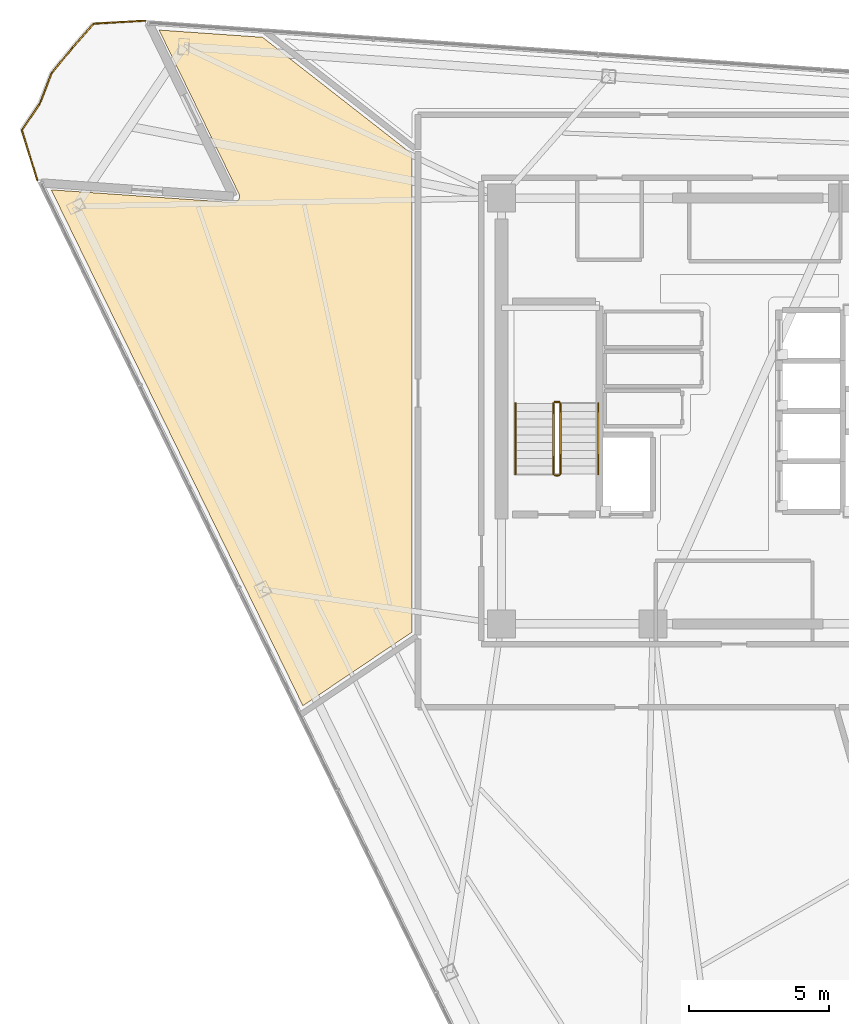
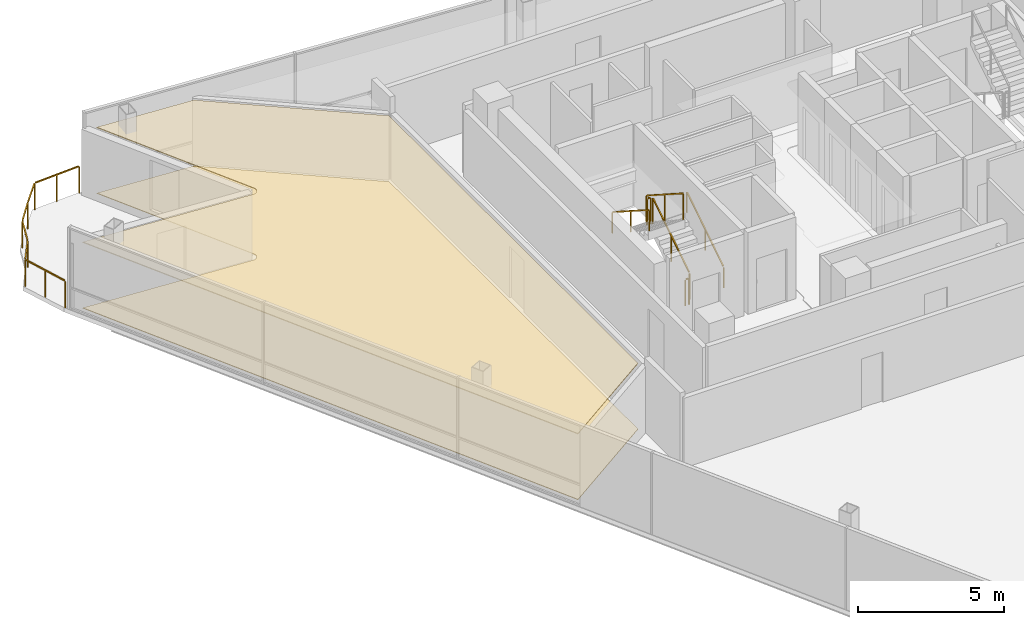
# One storey, part 12 of 14: 7 railings, 2 coverings.
"""IFC4 building model written with IfcOpenShell, lengths in metres."""

from ifc_helpers import new_model, si_unit, direction, frame, origin, origin_2d, place, context, subcontext, project, spatial, polyline, rectangle, outline, extrude, material, layer, layer_set, type_object, element, save


model = new_model("IFC4")

# Units and contexts
model_context = context("Model", 3, precision=1e-05, world=origin(), true_north=direction((0.0, 1.0)))
body_context = subcontext(model_context, "Body", "Model", "MODEL_VIEW")
ifc_project = project(units=[si_unit("LENGTHUNIT", "METRE"), si_unit("AREAUNIT", "SQUARE_METRE"), si_unit("VOLUMEUNIT", "CUBIC_METRE"), si_unit("PLANEANGLEUNIT", "RADIAN"), si_unit("MASSUNIT", "GRAM", prefix="KILO")], contexts=[model_context])

# Site, building, storey
site_placement = place(None, origin())
site = spatial("IfcSite", under=ifc_project, at=site_placement, CompositionType="ELEMENT")
building_placement = place(site_placement, origin())
building = spatial("IfcBuilding", under=site, at=building_placement, Name="Tharavind Bronze Gate", CompositionType="ELEMENT")
storey_placement = place(building_placement, frame((0.0, 0.0, 230.64990234375)))
storey = spatial("IfcBuildingStorey", under=building, at=storey_placement, Name="L59", CompositionType="ELEMENT", Elevation=230.64990234375)

# Coverings
ifc_material_1 = material(Name="Engineered Oak & Carpet Tile", Category="wood")
ifc_layer_1 = layer(ifc_material_1, 0.02490234375)
ifc_layer_set_1 = layer_set([ifc_layer_1], Name="Engineered Oak & Carpet Tile")
covering_type_1 = type_object("IfcCoveringType", Name="ENGINEERED TIMBER FLOORING", PredefinedType="FLOORING", material=ifc_layer_set_1)
covering_1_placement = place(storey_placement, origin())
element("IfcCovering", 1, at=covering_1_placement, inside=storey, type_object=covering_type_1, Name="L59-RM-02 floor finish", PredefinedType="FLOORING", context=body_context, shape_type="SweptSolid", body=[
    extrude(outline(polyline([(-15.99072265625, -10.5205078125), (-12.10009765625, -7.896240234375), (-12.10009765625, 9.17431640625), (-17.431884765625, 13.340087890625), (-21.125, 13.598388671875), (-18.2763671875, 7.7578125), (-18.27197265625, 7.747802734375), (-18.271728515625, 7.747314453125), (-18.263916015625, 7.726806640625), (-18.258544921875, 7.70556640625), (-18.255126953125, 7.683837890625), (-18.25390625, 7.661865234375), (-18.2548828125, 7.639892578125), (-18.258056640625, 7.618408203125), (-18.263427734375, 7.596923828125), (-18.270751953125, 7.576416015625), (-18.2802734375, 7.556640625), (-18.29150390625, 7.537841796875), (-18.3046875, 7.520263671875), (-18.319580078125, 7.504150390625), (-18.3359375, 7.489501953125), (-18.353759765625, 7.4765625), (-18.37255859375, 7.465576171875), (-18.392578125, 7.456298828125), (-18.413330078125, 7.449462890625), (-18.434814453125, 7.4443359375), (-18.456298828125, 7.44140625), (-18.478271484375, 7.44091796875), (-18.47900390625, 7.44091796875), (-18.489990234375, 7.44140625), (-24.972412109375, 7.894775390625), (-15.99072265625, -10.5205078125)])), origin(), (0.0, 0.0, 1.0), 0.025146484375),
])
ifc_material_2 = material(Name="Acoustic Gypsum Board", Category="gypsum")
ifc_layer_2 = layer(ifc_material_2, 0.030029296875)
ifc_layer_set_2 = layer_set([ifc_layer_2], Name="Acoustic Gypsum Board")
covering_type_2 = type_object("IfcCoveringType", Name="GYPSUM SUSPENDED CEILING", PredefinedType="CEILING", material=ifc_layer_set_2)
covering_2_placement = place(storey_placement, frame((0.0, 0.0, 2.75)))
element("IfcCovering", 2, at=covering_2_placement, inside=storey, type_object=covering_type_2, Name="L59-RM-02 suspended ceiling", PredefinedType="CEILING", context=body_context, shape_type="SweptSolid", body=[
    extrude(outline(polyline([(-15.99072265625, -10.5205078125), (-12.10009765625, -7.896240234375), (-12.10009765625, 9.17431640625), (-17.431884765625, 13.340087890625), (-21.125, 13.598388671875), (-18.2763671875, 7.7578125), (-18.27197265625, 7.747802734375), (-18.271728515625, 7.747314453125), (-18.263916015625, 7.726806640625), (-18.258544921875, 7.70556640625), (-18.255126953125, 7.683837890625), (-18.25390625, 7.661865234375), (-18.2548828125, 7.639892578125), (-18.258056640625, 7.618408203125), (-18.263427734375, 7.596923828125), (-18.270751953125, 7.576416015625), (-18.2802734375, 7.556640625), (-18.29150390625, 7.537841796875), (-18.3046875, 7.520263671875), (-18.319580078125, 7.504150390625), (-18.3359375, 7.489501953125), (-18.353759765625, 7.4765625), (-18.37255859375, 7.465576171875), (-18.392578125, 7.456298828125), (-18.413330078125, 7.449462890625), (-18.434814453125, 7.4443359375), (-18.456298828125, 7.44140625), (-18.478271484375, 7.44091796875), (-18.47900390625, 7.44091796875), (-18.489990234375, 7.44140625), (-24.972412109375, 7.894775390625), (-15.99072265625, -10.5205078125)])), origin(), (0.0, 0.0, 1.0), 0.03515625),
])

# Railings
ifc_material_3 = material(Name="Brushed Bronze Alloy", Category="metal")
railing_type_1 = type_object("IfcRailingType", Name="STAIR BRONZE HANDRAIL 900", PredefinedType="HANDRAIL", material=ifc_material_3)
railing_1_placement = place(storey_placement, frame((-5.449951171875, -2.25, 0.18017578125)))
element("IfcRailing", 3, at=railing_1_placement, inside=storey, type_object=railing_type_1, Name="L59 ST1 stair handrail 1", PredefinedType="HANDRAIL", context=body_context, shape_type="SweptSolid", body=[
    extrude(rectangle(XDim=0.048095703125, YDim=0.048095703125, at=origin_2d()), frame((0.0, 0.02685546875, 0.89306640625), z_axis=(0.0, 0.841199657755, 0.540724639528), x_axis=(-1.0, 0.0, 0.0)), (0.0, 0.0, 1.0), 2.931640625),
    extrude(rectangle(XDim=0.0400390625, YDim=0.0400390625, at=origin_2d()), origin(), (0.0, 0.0, 1.0), 0.847900390625),
    extrude(rectangle(XDim=0.0400390625, YDim=0.0400390625, at=origin_2d()), frame((0.0, 1.260009765625, 0.81005859375)), (0.0, 0.0, 1.0), 0.847900390625),
    extrude(rectangle(XDim=0.0400390625, YDim=0.0400390625, at=origin_2d()), frame((0.0, 2.52001953125, 1.619873046875)), (0.0, 0.0, 1.0), 0.847900390625),
])
railing_2_placement = place(storey_placement, frame((-8.39990234375, 0.27001953125, 1.97998046875)))
element("IfcRailing", 4, at=railing_2_placement, inside=storey, type_object=railing_type_1, Name="L59 ST1 stair handrail 2", PredefinedType="HANDRAIL", context=body_context, shape_type="SweptSolid", body=[
    extrude(rectangle(XDim=0.048095703125, YDim=0.048095703125, at=origin_2d()), frame((0.0, -0.02685546875, 0.89306640625), z_axis=(0.0, -0.841162588446, 0.540782303519), x_axis=(1.0, 0.0, 0.0)), (0.0, 0.0, 1.0), 2.931884765625),
    extrude(rectangle(XDim=0.0400390625, YDim=0.0400390625, at=origin_2d()), origin(), (0.0, 0.0, 1.0), 0.847900390625),
    extrude(rectangle(XDim=0.0400390625, YDim=0.0400390625, at=origin_2d()), frame((0.0, -1.260009765625, 0.81005859375)), (0.0, 0.0, 1.0), 0.847900390625),
    extrude(rectangle(XDim=0.0400390625, YDim=0.0400390625, at=origin_2d()), frame((0.0, -2.52001953125, 1.6201171875)), (0.0, 0.0, 1.0), 0.847900390625),
])
railing_type_2 = type_object("IfcRailingType", Name="STAIR WELL GUARD RAILING 1120", PredefinedType="GUARDRAIL", material=ifc_material_3)
railing_3_placement = place(storey_placement, frame((-6.800048828125, -2.25, 0.18017578125)))
element("IfcRailing", 5, at=railing_3_placement, inside=storey, type_object=railing_type_2, Name="L59 ST1 stair guard 1", PredefinedType="GUARDRAIL", context=body_context, shape_type="SweptSolid", body=[
    extrude(rectangle(XDim=0.048095703125, YDim=0.048095703125, at=origin_2d()), frame((0.0, 0.02685546875, 1.11328125), z_axis=(0.0, 0.841199657755, 0.540724639528), x_axis=(-1.0, 0.0, 0.0)), (0.0, 0.0, 1.0), 2.931640625),
    extrude(rectangle(XDim=0.0400390625, YDim=0.0400390625, at=origin_2d()), origin(), (0.0, 0.0, 1.0), 1.068115234375),
    extrude(rectangle(XDim=0.0400390625, YDim=0.0400390625, at=origin_2d()), frame((0.0, 1.260009765625, 0.81005859375)), (0.0, 0.0, 1.0), 1.068115234375),
    extrude(rectangle(XDim=0.0400390625, YDim=0.0400390625, at=origin_2d()), frame((0.0, 2.52001953125, 1.619873046875)), (0.0, 0.0, 1.0), 1.068115234375),
])
railing_4_placement = place(storey_placement, frame((-6.85009765625, 0.320068359375, 1.800048828125)))
element("IfcRailing", 6, at=railing_4_placement, inside=storey, type_object=railing_type_2, Name="L59 ST1 stair guard 2", PredefinedType="GUARDRAIL", context=body_context, shape_type="SweptSolid", body=[
    extrude(rectangle(XDim=0.048095703125, YDim=0.048095703125, at=origin_2d()), frame((-0.031982421875, 0.0, 1.09619140625), z_axis=(-1.0, 0.0, 0.0), x_axis=(0.0, -1.0, 0.0)), (0.0, 0.0, 1.0), 0.0859375),
    extrude(rectangle(XDim=0.0400390625, YDim=0.0400390625, at=origin_2d()), origin(), (0.0, 0.0, 1.0), 1.068115234375),
    extrude(rectangle(XDim=0.0400390625, YDim=0.0400390625, at=origin_2d()), frame((-0.14990234375, 0.0, 0.0)), (0.0, 0.0, 1.0), 1.068115234375),
])
railing_5_placement = place(storey_placement, frame((-7.050048828125, 0.27001953125, 1.97998046875)))
element("IfcRailing", 7, at=railing_5_placement, inside=storey, type_object=railing_type_2, Name="L59 ST1 stair guard 3", PredefinedType="GUARDRAIL", context=body_context, shape_type="SweptSolid", body=[
    extrude(rectangle(XDim=0.048095703125, YDim=0.048095703125, at=origin_2d()), frame((0.0, -0.02685546875, 1.11328125), z_axis=(0.0, -0.841162588446, 0.540782303519), x_axis=(1.0, 0.0, 0.0)), (0.0, 0.0, 1.0), 2.931884765625),
    extrude(rectangle(XDim=0.0400390625, YDim=0.0400390625, at=origin_2d()), origin(), (0.0, 0.0, 1.0), 1.068115234375),
    extrude(rectangle(XDim=0.0400390625, YDim=0.0400390625, at=origin_2d()), frame((0.0, -1.260009765625, 0.81005859375)), (0.0, 0.0, 1.0), 1.068115234375),
    extrude(rectangle(XDim=0.0400390625, YDim=0.0400390625, at=origin_2d()), frame((0.0, -2.52001953125, 1.6201171875)), (0.0, 0.0, 1.0), 1.068115234375),
])
railing_6_placement = place(storey_placement, frame((-6.85009765625, -2.300048828125, 0.0)))
element("IfcRailing", 8, at=railing_6_placement, inside=storey, type_object=railing_type_2, Name="L59 ST1 stair guard 4", PredefinedType="GUARDRAIL", context=body_context, shape_type="SweptSolid", body=[
    extrude(rectangle(XDim=0.048095703125, YDim=0.048095703125, at=origin_2d()), frame((-0.031982421875, 0.0, 1.09619140625), z_axis=(-1.0, 0.0, 0.0), x_axis=(0.0, -1.0, 0.0)), (0.0, 0.0, 1.0), 0.0859375),
    extrude(rectangle(XDim=0.0400390625, YDim=0.0400390625, at=origin_2d()), origin(), (0.0, 0.0, 1.0), 1.068115234375),
    extrude(rectangle(XDim=0.0400390625, YDim=0.0400390625, at=origin_2d()), frame((-0.14990234375, 0.0, 0.0)), (0.0, 0.0, 1.0), 1.068115234375),
])
ifc_material_4 = material(Name="Bronze Cap & Laminated Glass", Category="glass")
railing_type_3 = type_object("IfcRailingType", Name="TERRACE GLASS GUARD RAILING 1150", PredefinedType="GUARDRAIL", material=ifc_material_4)
railing_7_placement = place(storey_placement, frame((-25.4697265625, 8.230224609375, 0.0)))
element("IfcRailing", 9, at=railing_7_placement, inside=storey, type_object=railing_type_3, Name="L59 tree balcony guard railing", PredefinedType="GUARDRAIL", context=body_context, shape_type="SweptSolid", body=[
    extrude(rectangle(XDim=0.048095703125, YDim=0.048095703125, at=origin_2d()), frame((-0.009521484375, 0.030517578125, 1.1259765625), z_axis=(-0.294314517562, 0.955708619168, 0.0), x_axis=(-0.955708619168, -0.294314517562, 0.0)), (0.0, 0.0, 1.0), 1.8115234375),
    extrude(rectangle(XDim=0.048095703125, YDim=0.048095703125, at=origin_2d()), frame((-0.5341796875, 1.819091796875, 1.1259765625), z_axis=(0.559213151727, 0.829023914574, 0.0), x_axis=(-0.829023914574, 0.559213151727, 0.0)), (0.0, 0.0, 1.0), 1.08251953125),
    extrude(rectangle(XDim=0.048095703125, YDim=0.048095703125, at=origin_2d()), frame((0.1005859375, 2.772705078125, 1.1259765625), z_axis=(0.361885115159, 0.932222700553, 0.0), x_axis=(-0.932222700553, 0.361885115159, 0.0)), (0.0, 0.0, 1.0), 1.11181640625),
    extrude(rectangle(XDim=0.048095703125, YDim=0.048095703125, at=origin_2d()), frame((0.53515625, 3.86376953125, 1.1259765625), z_axis=(0.637324854119, 0.77059524416, 0.0), x_axis=(-0.77059524416, 0.637324854119, 0.0)), (0.0, 0.0, 1.0), 1.08837890625),
    extrude(rectangle(XDim=0.048095703125, YDim=0.048095703125, at=origin_2d()), frame((1.270263671875, 4.7509765625, 1.1259765625), z_axis=(0.660580286946, 0.750755409237, 0.0), x_axis=(-0.750755409237, 0.660580286946, 0.0)), (0.0, 0.0, 1.0), 1.092041015625),
    extrude(rectangle(XDim=0.048095703125, YDim=0.048095703125, at=origin_2d()), frame((2.044677734375, 5.596923828125, 1.1259765625), z_axis=(0.998250930511, 0.059119199371, 0.0), x_axis=(-0.059119199371, 0.998250930511, 0.0)), (0.0, 0.0, 1.0), 1.773681640625),
    extrude(rectangle(XDim=0.0400390625, YDim=0.0400390625, at=origin_2d()), origin(), (0.0, 0.0, 1.0), 1.097900390625),
    extrude(rectangle(XDim=0.0400390625, YDim=0.0400390625, at=origin_2d()), frame((-0.27587890625, 0.896240234375, 0.0)), (0.0, 0.0, 1.0), 1.097900390625),
    extrude(rectangle(XDim=0.0400390625, YDim=0.0400390625, at=origin_2d()), frame((-0.552001953125, 1.79248046875, 0.0)), (0.0, 0.0, 1.0), 1.097900390625),
    extrude(rectangle(XDim=0.0400390625, YDim=0.0400390625, at=origin_2d()), frame((0.089111328125, 2.742919921875, 0.0)), (0.0, 0.0, 1.0), 1.097900390625),
    extrude(rectangle(XDim=0.0400390625, YDim=0.0400390625, at=origin_2d()), frame((0.5146484375, 3.839111328125, 0.0)), (0.0, 0.0, 1.0), 1.097900390625),
    extrude(rectangle(XDim=0.0400390625, YDim=0.0400390625, at=origin_2d()), frame((1.2490234375, 4.72705078125, 0.0)), (0.0, 0.0, 1.0), 1.097900390625),
    extrude(rectangle(XDim=0.0400390625, YDim=0.0400390625, at=origin_2d()), frame((2.0126953125, 5.594970703125, 0.0)), (0.0, 0.0, 1.0), 1.097900390625),
    extrude(rectangle(XDim=0.0400390625, YDim=0.0400390625, at=origin_2d()), frame((2.929931640625, 5.6494140625, 0.0)), (0.0, 0.0, 1.0), 1.097900390625),
    extrude(rectangle(XDim=0.0400390625, YDim=0.0400390625, at=origin_2d()), frame((3.84716796875, 5.70361328125, 0.0)), (0.0, 0.0, 1.0), 1.097900390625),
])

save(model, "model.ifc")
